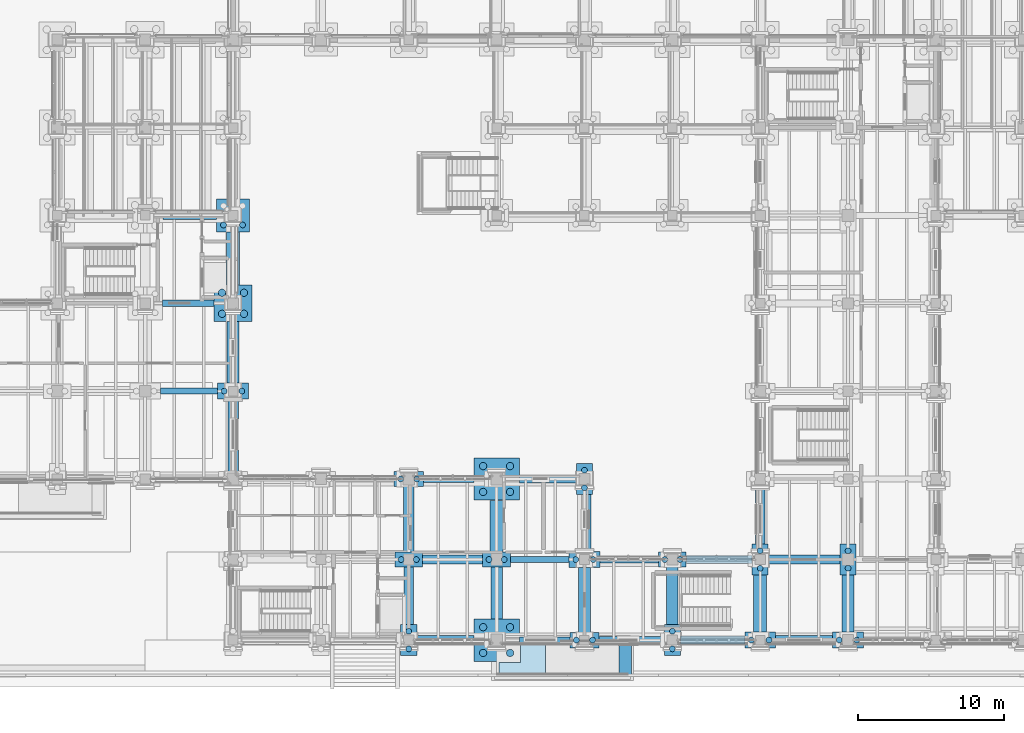
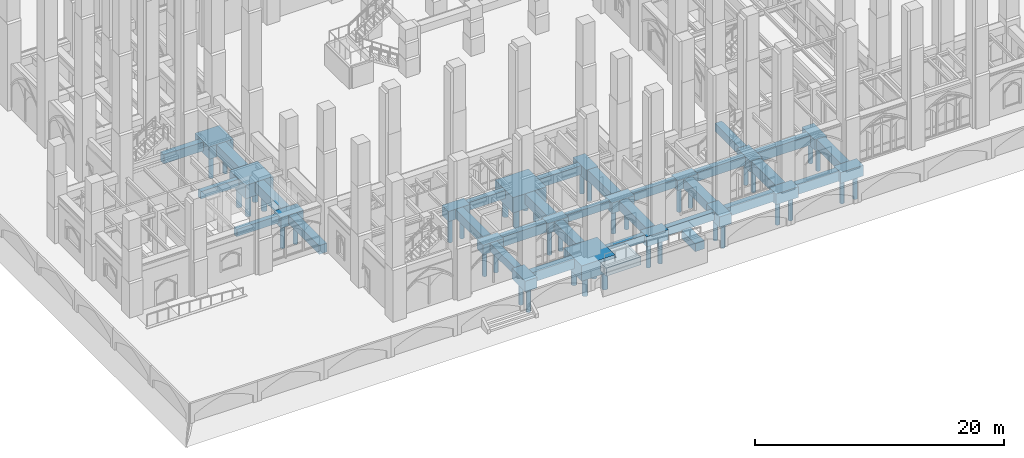
# One storey, part 2 of 135: 48 footings, 42 piles.
"""IFC4 building model written with IfcOpenShell, lengths in metres."""

from ifc_helpers import new_model, si_unit, direction, frame, origin, origin_2d, place, context, subcontext, project, spatial, polyline, rectangle, circle, outline, extrude, material, material_profile, profile_set, type_object, element, save


model = new_model("IFC4")

# Units and contexts
model_context = context("Model", 3, precision=1e-05, world=origin(), true_north=direction((0.0, 1.0)))
body_context = subcontext(model_context, "Body", "Model", "MODEL_VIEW")
ifc_project = project(units=[si_unit("LENGTHUNIT", "METRE"), si_unit("AREAUNIT", "SQUARE_METRE"), si_unit("VOLUMEUNIT", "CUBIC_METRE"), si_unit("PLANEANGLEUNIT", "RADIAN"), si_unit("MASSUNIT", "GRAM", prefix="KILO")], contexts=[model_context])

# Site, building, storey
site_placement = place(None, origin())
site = spatial("IfcSite", under=ifc_project, at=site_placement, CompositionType="ELEMENT")
building_placement = place(site_placement, origin())
building = spatial("IfcBuilding", under=site, at=building_placement, Name="Cumevento Cable Car Station", CompositionType="ELEMENT")
storey_placement = place(building_placement, origin())
storey = spatial("IfcBuildingStorey", under=building, at=storey_placement, Name="L01", CompositionType="ELEMENT", Elevation=0.0)

# Footings
ifc_material_1 = material(Name="Concrete C40/50", Category="concrete")
footing_type_1 = type_object("IfcFootingType", Name="Ground Beam GB-01 420x720", PredefinedType="FOOTING_BEAM", material=ifc_material_1)
footing_1_placement = place(storey_placement, frame((0.0, 0.0, -0.719970703125)))
element("IfcFooting", 1, at=footing_1_placement, inside=storey, type_object=footing_type_1, Name="Ground Tie Beam GB-01 #4", PredefinedType="FOOTING_BEAM", context=body_context, shape_type="SweptSolid", body=[
    extrude(outline(polyline([(41.552001953125, 3.7900390625), (44.998046875, 3.7900390625), (44.998046875, 4.2099609375), (41.552001953125, 4.2099609375), (41.552001953125, 3.7900390625)])), origin(), (0.0, 0.0, 1.0), 0.719970703125),
])
footing_2_placement = place(storey_placement, frame((0.0, 0.0, -0.719970703125)))
element("IfcFooting", 2, at=footing_2_placement, inside=storey, type_object=footing_type_1, Name="Ground Tie Beam GB-01 #16", PredefinedType="FOOTING_BEAM", context=body_context, shape_type="SweptSolid", body=[
    extrude(outline(polyline([(40.951904296875, 9.2900390625), (44.947998046875, 9.2900390625), (44.947998046875, 9.7099609375), (40.951904296875, 9.7099609375), (40.951904296875, 9.2900390625)])), origin(), (0.0, 0.0, 1.0), 0.719970703125),
])
footing_3_placement = place(storey_placement, frame((0.0, 0.0, -0.719970703125)))
element("IfcFooting", 3, at=footing_3_placement, inside=storey, type_object=footing_type_1, Name="Ground Tie Beam GB-01 #44", PredefinedType="FOOTING_BEAM", context=body_context, shape_type="SweptSolid", body=[
    extrude(outline(polyline([(17.052001953125, 20.7900390625), (20.947998046875, 20.7900390625), (20.947998046875, 21.2099609375), (17.052001953125, 21.2099609375), (17.052001953125, 20.7900390625)])), origin(), (0.0, 0.0, 1.0), 0.719970703125),
])
footing_4_placement = place(storey_placement, frame((0.0, 0.0, -0.719970703125)))
element("IfcFooting", 4, at=footing_4_placement, inside=storey, type_object=footing_type_1, Name="Ground Tie Beam GB-01 #52", PredefinedType="FOOTING_BEAM", context=body_context, shape_type="SweptSolid", body=[
    extrude(outline(polyline([(17.177001953125, 26.7900390625), (20.697998046875, 26.7900390625), (20.697998046875, 27.2099609375), (17.177001953125, 27.2099609375), (17.177001953125, 26.7900390625)])), origin(), (0.0, 0.0, 1.0), 0.719970703125),
])
ifc_material_2 = material(Name="Concrete C40/50", Category="concrete")
footing_type_2 = type_object("IfcFootingType", Name="Ground Beam GB-02 480x800", PredefinedType="FOOTING_BEAM", material=ifc_material_2)
footing_5_placement = place(storey_placement, frame((0.0, 0.0, -0.800048828125)))
element("IfcFooting", 5, at=footing_5_placement, inside=storey, type_object=footing_type_2, Name="Ground Tie Beam GB-02 #5", PredefinedType="FOOTING_BEAM", context=body_context, shape_type="SweptSolid", body=[
    extrude(outline(polyline([(47.001953125, 3.760009765625), (51.447998046875, 3.760009765625), (51.447998046875, 4.239990234375), (47.001953125, 4.239990234375), (47.001953125, 3.760009765625)])), origin(), (0.0, 0.0, 1.0), 0.800048828125),
])
footing_6_placement = place(storey_placement, frame((0.0, 0.0, -0.800048828125)))
element("IfcFooting", 6, at=footing_6_placement, inside=storey, type_object=footing_type_2, Name="Ground Tie Beam GB-02 #17", PredefinedType="FOOTING_BEAM", context=body_context, shape_type="SweptSolid", body=[
    extrude(outline(polyline([(47.052001953125, 9.260009765625), (51.048095703125, 9.260009765625), (51.048095703125, 9.739990234375), (47.052001953125, 9.739990234375), (47.052001953125, 9.260009765625)])), origin(), (0.0, 0.0, 1.0), 0.800048828125),
])
footing_7_placement = place(storey_placement, frame((0.0, 0.0, -0.800048828125)))
element("IfcFooting", 7, at=footing_7_placement, inside=storey, type_object=footing_type_2, Name="Ground Tie Beam GB-02 #33", PredefinedType="FOOTING_BEAM", context=body_context, shape_type="SweptSolid", body=[
    extrude(outline(polyline([(35.001953125, 14.760009765625), (38.447998046875, 14.760009765625), (38.447998046875, 15.239990234375), (35.001953125, 15.239990234375), (35.001953125, 14.760009765625)])), origin(), (0.0, 0.0, 1.0), 0.800048828125),
])
ifc_material_3 = material(Name="Concrete C40/50", Category="concrete")
footing_type_3 = type_object("IfcFootingType", Name="Ground Beam GB-03 540x880", PredefinedType="FOOTING_BEAM", material=ifc_material_3)
footing_8_placement = place(storey_placement, frame((0.0, 0.0, -0.8798828125)))
element("IfcFooting", 8, at=footing_8_placement, inside=storey, type_object=footing_type_3, Name="Ground Tie Beam GB-03 #6", PredefinedType="FOOTING_BEAM", context=body_context, shape_type="SweptSolid", body=[
    extrude(outline(polyline([(52.552001953125, 3.72998046875), (56.947998046875, 3.72998046875), (56.947998046875, 4.27001953125), (52.552001953125, 4.27001953125), (52.552001953125, 3.72998046875)])), origin(), (0.0, 0.0, 1.0), 0.8798828125),
])
footing_9_placement = place(storey_placement, frame((0.0, 0.0, -0.8798828125)))
element("IfcFooting", 9, at=footing_9_placement, inside=storey, type_object=footing_type_3, Name="Ground Tie Beam GB-03 #18", PredefinedType="FOOTING_BEAM", context=body_context, shape_type="SweptSolid", body=[
    extrude(outline(polyline([(52.951904296875, 9.22998046875), (57.447998046875, 9.22998046875), (57.447998046875, 9.77001953125), (52.951904296875, 9.77001953125), (52.951904296875, 9.22998046875)])), origin(), (0.0, 0.0, 1.0), 0.8798828125),
])
footing_10_placement = place(storey_placement, frame((0.0, 0.0, -0.8798828125)))
element("IfcFooting", 10, at=footing_10_placement, inside=storey, type_object=footing_type_3, Name="Ground Tie Beam GB-03 #34", PredefinedType="FOOTING_BEAM", context=body_context, shape_type="SweptSolid", body=[
    extrude(outline(polyline([(41.552001953125, 14.72998046875), (45.447998046875, 14.72998046875), (45.447998046875, 15.27001953125), (41.552001953125, 15.27001953125), (41.552001953125, 14.72998046875)])), origin(), (0.0, 0.0, 1.0), 0.8798828125),
])
footing_11_placement = place(storey_placement, frame((0.0, 0.0, -0.8798828125)))
element("IfcFooting", 11, at=footing_11_placement, inside=storey, type_object=footing_type_3, Name="Ground Tie Beam GB-03 #58", PredefinedType="FOOTING_BEAM", context=body_context, shape_type="SweptSolid", body=[
    extrude(outline(polyline([(17.201904296875, 32.72998046875), (20.873046875, 32.72998046875), (20.873046875, 33.27001953125), (17.201904296875, 33.27001953125), (17.201904296875, 32.72998046875)])), origin(), (0.0, 0.0, 1.0), 0.8798828125),
])
ifc_material_4 = material(Name="Concrete C40/50", Category="concrete")
footing_type_4 = type_object("IfcFootingType", Name="Ground Beam GB-04 600x960", PredefinedType="FOOTING_BEAM", material=ifc_material_4)
footing_12_placement = place(storey_placement, frame((0.0, 0.0, -0.9599609375)))
element("IfcFooting", 12, at=footing_12_placement, inside=storey, type_object=footing_type_4, Name="Ground Tie Beam GB-04 #3", PredefinedType="FOOTING_BEAM", context=body_context, shape_type="SweptSolid", body=[
    extrude(outline(polyline([(34.552001953125, 3.699951171875), (38.447998046875, 3.699951171875), (38.447998046875, 4.300048828125), (34.552001953125, 4.300048828125), (34.552001953125, 3.699951171875)])), origin(), (0.0, 0.0, 1.0), 0.9599609375),
])
footing_13_placement = place(storey_placement, frame((0.0, 0.0, -0.9599609375)))
element("IfcFooting", 13, at=footing_13_placement, inside=storey, type_object=footing_type_4, Name="Ground Tie Beam GB-04 #7", PredefinedType="FOOTING_BEAM", context=body_context, shape_type="SweptSolid", body=[
    extrude(outline(polyline([(59.052001953125, 3.699951171875), (62.947998046875, 3.699951171875), (62.947998046875, 4.300048828125), (59.052001953125, 4.300048828125), (59.052001953125, 3.699951171875)])), origin(), (0.0, 0.0, 1.0), 0.9599609375),
])
footing_14_placement = place(storey_placement, frame((0.0, 0.0, -0.9599609375)))
element("IfcFooting", 14, at=footing_14_placement, inside=storey, type_object=footing_type_4, Name="Ground Tie Beam GB-04 #15", PredefinedType="FOOTING_BEAM", context=body_context, shape_type="SweptSolid", body=[
    extrude(outline(polyline([(34.951904296875, 9.199951171875), (39.048095703125, 9.199951171875), (39.048095703125, 9.800048828125), (34.951904296875, 9.800048828125), (34.951904296875, 9.199951171875)])), origin(), (0.0, 0.0, 1.0), 0.9599609375),
])
footing_15_placement = place(storey_placement, frame((0.0, 0.0, -0.9599609375)))
element("IfcFooting", 15, at=footing_15_placement, inside=storey, type_object=footing_type_4, Name="Ground Tie Beam GB-04 #19", PredefinedType="FOOTING_BEAM", context=body_context, shape_type="SweptSolid", body=[
    extrude(outline(polyline([(58.552001953125, 9.199951171875), (63.447998046875, 9.199951171875), (63.447998046875, 9.800048828125), (58.552001953125, 9.800048828125), (58.552001953125, 9.199951171875)])), origin(), (0.0, 0.0, 1.0), 0.9599609375),
])

# Piles
ifc_material_5 = material(Name="Concrete C40/50", Category="concrete")
ifc_material_profile_1 = material_profile(ifc_material_5, circle(Radius=0.199951171875, at=origin_2d()), Name="PILE-D400")
ifc_profile_set_1 = profile_set([ifc_material_profile_1], Name="Concrete C40/50")
pile_type_1 = type_object("IfcPileType", Name="PILE-BORED-400", PredefinedType="BORED", material=ifc_profile_set_1)
for number, where, z_axis, x_axis, name in (
    (16, (21.39990234375, 21.0, -1.050048828125), (0.0, 0.0, -1.0), (1.0, 0.0, 0.0), "Bored Pile PL-400 #53"),
    (17, (22.60009765625, 21.0, -1.050048828125), (0.0, 0.0, -1.0), (1.0, 0.0, 0.0), "Bored Pile PL-400 #54"),
):
    element("IfcPile", number, at=place(storey_placement, frame(where, z_axis=z_axis, x_axis=x_axis)), inside=storey, type_object=pile_type_1, Name=name, PredefinedType="BORED", context=body_context, shape_type="SweptSolid", body=[
        extrude(circle(Radius=0.199951171875, at=origin_2d()), origin(), (0.0, 0.0, 1.0), 2.35009765625),
    ])
for number, where, z_axis, x_axis, name in (
    (18, (21.35009765625, 32.35009765625, -1.199951171875), (0.0, 0.0, -1.0), (1.0, 0.0, 0.0), "Bored Pile PL-400 #59"),
    (19, (22.64990234375, 32.35009765625, -1.199951171875), (0.0, 0.0, -1.0), (1.0, 0.0, 0.0), "Bored Pile PL-400 #60"),
):
    element("IfcPile", number, at=place(storey_placement, frame(where, z_axis=z_axis, x_axis=x_axis)), inside=storey, type_object=pile_type_1, Name=name, PredefinedType="BORED", context=body_context, shape_type="SweptSolid", body=[
        extrude(circle(Radius=0.199951171875, at=origin_2d()), origin(), (0.0, 0.0, 1.0), 2.199951171875),
    ])
for number, where, z_axis, x_axis, name in (
    (20, (34.0, 3.39990234375, -1.050048828125), (0.0, 0.0, -1.0), (1.0, 0.0, 0.0), "Bored Pile PL-400 #113"),
    (21, (34.0, 4.60009765625, -1.050048828125), (0.0, 0.0, -1.0), (1.0, 0.0, 0.0), "Bored Pile PL-400 #114"),
):
    element("IfcPile", number, at=place(storey_placement, frame(where, z_axis=z_axis, x_axis=x_axis)), inside=storey, type_object=pile_type_1, Name=name, PredefinedType="BORED", context=body_context, shape_type="SweptSolid", body=[
        extrude(circle(Radius=0.199951171875, at=origin_2d()), origin(), (0.0, 0.0, 1.0), 2.35009765625),
    ])
for number, where, z_axis, x_axis, name in (
    (22, (33.47998046875, 9.5, -0.949951171875), (0.0, 0.0, -1.0), (1.0, 0.0, 0.0), "Bored Pile PL-400 #115"),
    (23, (34.52001953125, 9.5, -0.949951171875), (0.0, 0.0, -1.0), (1.0, 0.0, 0.0), "Bored Pile PL-400 #116"),
):
    element("IfcPile", number, at=place(storey_placement, frame(where, z_axis=z_axis, x_axis=x_axis)), inside=storey, type_object=pile_type_1, Name=name, PredefinedType="BORED", context=body_context, shape_type="SweptSolid", body=[
        extrude(circle(Radius=0.199951171875, at=origin_2d()), origin(), (0.0, 0.0, 1.0), 2.449951171875),
    ])
for number, where, z_axis, x_axis, name in (
    (24, (33.449951171875, 15.0, -1.0), (0.0, 0.0, -1.0), (1.0, 0.0, 0.0), "Bored Pile PL-400 #117"),
    (25, (34.550048828125, 15.0, -1.0), (0.0, 0.0, -1.0), (1.0, 0.0, 0.0), "Bored Pile PL-400 #118"),
):
    element("IfcPile", number, at=place(storey_placement, frame(where, z_axis=z_axis, x_axis=x_axis)), inside=storey, type_object=pile_type_1, Name=name, PredefinedType="BORED", context=body_context, shape_type="SweptSolid", body=[
        extrude(circle(Radius=0.199951171875, at=origin_2d()), origin(), (0.0, 0.0, 1.0), 2.39990234375),
    ])
for number, where, z_axis, x_axis, name in (
    (26, (39.47998046875, 9.5, -0.949951171875), (0.0, 0.0, -1.0), (1.0, 0.0, 0.0), "Bored Pile PL-400 #143"),
    (27, (40.52001953125, 9.5, -0.949951171875), (0.0, 0.0, -1.0), (1.0, 0.0, 0.0), "Bored Pile PL-400 #144"),
):
    element("IfcPile", number, at=place(storey_placement, frame(where, z_axis=z_axis, x_axis=x_axis)), inside=storey, type_object=pile_type_1, Name=name, PredefinedType="BORED", context=body_context, shape_type="SweptSolid", body=[
        extrude(circle(Radius=0.199951171875, at=origin_2d()), origin(), (0.0, 0.0, 1.0), 2.449951171875),
    ])
for number, where, z_axis, x_axis, name in (
    (28, (45.449951171875, 4.0, -1.0), (0.0, 0.0, -1.0), (1.0, 0.0, 0.0), "Bored Pile PL-400 #161"),
    (29, (46.550048828125, 4.0, -1.0), (0.0, 0.0, -1.0), (1.0, 0.0, 0.0), "Bored Pile PL-400 #162"),
):
    element("IfcPile", number, at=place(storey_placement, frame(where, z_axis=z_axis, x_axis=x_axis)), inside=storey, type_object=pile_type_1, Name=name, PredefinedType="BORED", context=body_context, shape_type="SweptSolid", body=[
        extrude(circle(Radius=0.199951171875, at=origin_2d()), origin(), (0.0, 0.0, 1.0), 2.39990234375),
    ])
for number, where, z_axis, x_axis, name in (
    (30, (45.39990234375, 9.5, -1.050048828125), (0.0, 0.0, -1.0), (1.0, 0.0, 0.0), "Bored Pile PL-400 #163"),
    (31, (46.60009765625, 9.5, -1.050048828125), (0.0, 0.0, -1.0), (1.0, 0.0, 0.0), "Bored Pile PL-400 #164"),
    (32, (46.0, 14.39990234375, -1.050048828125), (0.0, 0.0, -1.0), (1.0, 0.0, 0.0), "Bored Pile PL-400 #165"),
    (33, (46.0, 15.60009765625, -1.050048828125), (0.0, 0.0, -1.0), (1.0, 0.0, 0.0), "Bored Pile PL-400 #166"),
    (34, (52.0, 3.39990234375, -1.050048828125), (0.0, 0.0, -1.0), (1.0, 0.0, 0.0), "Bored Pile PL-400 #179"),
    (35, (52.0, 4.60009765625, -1.050048828125), (0.0, 0.0, -1.0), (1.0, 0.0, 0.0), "Bored Pile PL-400 #180"),
):
    element("IfcPile", number, at=place(storey_placement, frame(where, z_axis=z_axis, x_axis=x_axis)), inside=storey, type_object=pile_type_1, Name=name, PredefinedType="BORED", context=body_context, shape_type="SweptSolid", body=[
        extrude(circle(Radius=0.199951171875, at=origin_2d()), origin(), (0.0, 0.0, 1.0), 2.35009765625),
    ])
for number, where, z_axis, x_axis, name in (
    (36, (51.47998046875, 9.5, -0.949951171875), (0.0, 0.0, -1.0), (1.0, 0.0, 0.0), "Bored Pile PL-400 #181"),
    (37, (52.52001953125, 9.5, -0.949951171875), (0.0, 0.0, -1.0), (1.0, 0.0, 0.0), "Bored Pile PL-400 #182"),
):
    element("IfcPile", number, at=place(storey_placement, frame(where, z_axis=z_axis, x_axis=x_axis)), inside=storey, type_object=pile_type_1, Name=name, PredefinedType="BORED", context=body_context, shape_type="SweptSolid", body=[
        extrude(circle(Radius=0.199951171875, at=origin_2d()), origin(), (0.0, 0.0, 1.0), 2.449951171875),
    ])
for number, where, z_axis, x_axis, name in (
    (38, (57.39990234375, 4.0, -1.050048828125), (0.0, 0.0, -1.0), (1.0, 0.0, 0.0), "Bored Pile PL-400 #203"),
    (39, (58.60009765625, 4.0, -1.050048828125), (0.0, 0.0, -1.0), (1.0, 0.0, 0.0), "Bored Pile PL-400 #204"),
    (40, (58.0, 8.89990234375, -1.050048828125), (0.0, 0.0, -1.0), (1.0, 0.0, 0.0), "Bored Pile PL-400 #205"),
    (41, (58.0, 10.10009765625, -1.050048828125), (0.0, 0.0, -1.0), (1.0, 0.0, 0.0), "Bored Pile PL-400 #206"),
    (42, (63.39990234375, 4.0, -1.050048828125), (0.0, 0.0, -1.0), (1.0, 0.0, 0.0), "Bored Pile PL-400 #239"),
    (43, (64.60009765625, 4.0, -1.050048828125), (0.0, 0.0, -1.0), (1.0, 0.0, 0.0), "Bored Pile PL-400 #240"),
    (44, (64.0, 8.89990234375, -1.050048828125), (0.0, 0.0, -1.0), (1.0, 0.0, 0.0), "Bored Pile PL-400 #241"),
    (45, (64.0, 10.10009765625, -1.050048828125), (0.0, 0.0, -1.0), (1.0, 0.0, 0.0), "Bored Pile PL-400 #242"),
):
    element("IfcPile", number, at=place(storey_placement, frame(where, z_axis=z_axis, x_axis=x_axis)), inside=storey, type_object=pile_type_1, Name=name, PredefinedType="BORED", context=body_context, shape_type="SweptSolid", body=[
        extrude(circle(Radius=0.199951171875, at=origin_2d()), origin(), (0.0, 0.0, 1.0), 2.35009765625),
    ])
ifc_material_6 = material(Name="Concrete C40/50", Category="concrete")
ifc_material_profile_2 = material_profile(ifc_material_6, circle(Radius=0.25, at=origin_2d()), Name="PILE-D500")
ifc_profile_set_2 = profile_set([ifc_material_profile_2], Name="Concrete C40/50")
pile_type_2 = type_object("IfcPileType", Name="PILE-BORED-500", PredefinedType="BORED", material=ifc_profile_set_2)
for number, where, z_axis, x_axis, name in (
    (46, (21.25, 26.280029296875, -1.300048828125), (0.0, 0.0, -1.0), (1.0, 0.0, 0.0), "Bored Pile PL-500 #55"),
    (47, (22.75, 26.280029296875, -1.300048828125), (0.0, 0.0, -1.0), (1.0, 0.0, 0.0), "Bored Pile PL-500 #56"),
    (48, (21.25, 27.719970703125, -1.300048828125), (0.0, 0.0, -1.0), (1.0, 0.0, 0.0), "Bored Pile PL-500 #57"),
    (49, (22.75, 27.719970703125, -1.300048828125), (0.0, 0.0, -1.0), (1.0, 0.0, 0.0), "Bored Pile PL-500 #58"),
):
    element("IfcPile", number, at=place(storey_placement, frame(where, z_axis=z_axis, x_axis=x_axis)), inside=storey, type_object=pile_type_2, Name=name, PredefinedType="BORED", context=body_context, shape_type="SweptSolid", body=[
        extrude(circle(Radius=0.25, at=origin_2d()), origin(), (0.0, 0.0, 1.0), 2.10009765625),
    ])
for number, where, z_axis, x_axis, name in (
    (50, (39.080078125, 3.1201171875, -1.5), (0.0, 0.0, -1.0), (1.0, 0.0, 0.0), "Bored Pile PL-500 #139"),
    (51, (40.919921875, 3.1201171875, -1.5), (0.0, 0.0, -1.0), (1.0, 0.0, 0.0), "Bored Pile PL-500 #140"),
    (52, (39.080078125, 4.8798828125, -1.5), (0.0, 0.0, -1.0), (1.0, 0.0, 0.0), "Bored Pile PL-500 #141"),
    (53, (40.919921875, 4.8798828125, -1.5), (0.0, 0.0, -1.0), (1.0, 0.0, 0.0), "Bored Pile PL-500 #142"),
    (54, (39.080078125, 14.1201171875, -1.5), (0.0, 0.0, -1.0), (1.0, 0.0, 0.0), "Bored Pile PL-500 #145"),
    (55, (40.919921875, 14.1201171875, -1.5), (0.0, 0.0, -1.0), (1.0, 0.0, 0.0), "Bored Pile PL-500 #146"),
    (56, (39.080078125, 15.8798828125, -1.5), (0.0, 0.0, -1.0), (1.0, 0.0, 0.0), "Bored Pile PL-500 #147"),
    (57, (40.919921875, 15.8798828125, -1.5), (0.0, 0.0, -1.0), (1.0, 0.0, 0.0), "Bored Pile PL-500 #148"),
):
    element("IfcPile", number, at=place(storey_placement, frame(where, z_axis=z_axis, x_axis=x_axis)), inside=storey, type_object=pile_type_2, Name=name, PredefinedType="BORED", context=body_context, shape_type="SweptSolid", body=[
        extrude(circle(Radius=0.25, at=origin_2d()), origin(), (0.0, 0.0, 1.0), 1.89990234375),
    ])

# Footings
ifc_material_7 = material(Name="Concrete C40/50", Category="concrete")
footing_type_5 = type_object("IfcFootingType", Name="Pile Cap PC-01 1900x1000x950", PredefinedType="PILE_CAP", material=ifc_material_7)
for number, where, z_axis, x_axis, name in (
    (58, (34.0, 9.5, -0.9501953125), (0.0, 0.0, 1.0), (1.0, 0.0, 0.0), "Pile Cap PC-01 at (34.0,9.5)"),
    (59, (40.0, 9.5, -0.9501953125), (0.0, 0.0, 1.0), (1.0, 0.0, 0.0), "Pile Cap PC-01 at (40.0,9.5)"),
    (60, (52.0, 9.5, -0.9501953125), (0.0, 0.0, 1.0), (1.0, 0.0, 0.0), "Pile Cap PC-01 at (52.0,9.5)"),
):
    element("IfcFooting", number, at=place(storey_placement, frame(where, z_axis=z_axis, x_axis=x_axis)), inside=storey, type_object=footing_type_5, Name=name, PredefinedType="PILE_CAP", context=body_context, shape_type="SweptSolid", body=[
        extrude(rectangle(XDim=1.89990234375, YDim=1.0, at=origin_2d()), origin(), (0.0, 0.0, 1.0), 0.949951171875),
    ])
ifc_material_8 = material(Name="Concrete C40/50", Category="concrete")
footing_type_6 = type_object("IfcFootingType", Name="Pile Cap PC-02 2000x1050x1000", PredefinedType="PILE_CAP", material=ifc_material_8)
for number, where, z_axis, x_axis, name in (
    (61, (34.0, 15.0, -1.0), (0.0, 0.0, 1.0), (1.0, 0.0, 0.0), "Pile Cap PC-02 at (34.0,15.0)"),
    (62, (46.0, 4.0, -1.0), (0.0, 0.0, 1.0), (1.0, 0.0, 0.0), "Pile Cap PC-02 at (46.0,4.0)"),
):
    element("IfcFooting", number, at=place(storey_placement, frame(where, z_axis=z_axis, x_axis=x_axis)), inside=storey, type_object=footing_type_6, Name=name, PredefinedType="PILE_CAP", context=body_context, shape_type="SweptSolid", body=[
        extrude(rectangle(XDim=2.0, YDim=1.050048828125, at=origin_2d()), origin(), (0.0, 0.0, 1.0), 1.0),
    ])
ifc_material_9 = material(Name="Concrete C40/50", Category="concrete")
footing_type_7 = type_object("IfcFootingType", Name="Pile Cap PC-03 2100x1100x1050", PredefinedType="PILE_CAP", material=ifc_material_9)
for number, where, z_axis, x_axis, name in (
    (63, (22.0, 21.0, -1.0498046875), (0.0, 0.0, 1.0), (1.0, 0.0, 0.0), "Pile Cap PC-03 at (22.0,21.0)"),
    (64, (46.0, 9.5, -1.0498046875), (0.0, 0.0, 1.0), (1.0, 0.0, 0.0), "Pile Cap PC-03 at (46.0,9.5)"),
    (65, (58.0, 4.0, -1.0498046875), (0.0, 0.0, 1.0), (1.0, 0.0, 0.0), "Pile Cap PC-03 at (58.0,4.0)"),
    (66, (64.0, 4.0, -1.0498046875), (0.0, 0.0, 1.0), (1.0, 0.0, 0.0), "Pile Cap PC-03 at (64.0,4.0)"),
):
    element("IfcFooting", number, at=place(storey_placement, frame(where, z_axis=z_axis, x_axis=x_axis)), inside=storey, type_object=footing_type_7, Name=name, PredefinedType="PILE_CAP", context=body_context, shape_type="SweptSolid", body=[
        extrude(rectangle(XDim=2.10009765625, YDim=1.10009765625, at=origin_2d()), origin(), (0.0, 0.0, 1.0), 1.050048828125),
    ])
ifc_material_10 = material(Name="Concrete C40/50", Category="concrete")
footing_type_8 = type_object("IfcFootingType", Name="Pile Cap PC-04 1100x2100x1050", PredefinedType="PILE_CAP", material=ifc_material_10)
for number, where, z_axis, x_axis, name in (
    (67, (34.0, 4.0, -1.0498046875), (0.0, 0.0, 1.0), (1.0, 0.0, 0.0), "Pile Cap PC-04 at (34.0,4.0)"),
    (68, (46.0, 15.0, -1.0498046875), (0.0, 0.0, 1.0), (1.0, 0.0, 0.0), "Pile Cap PC-04 at (46.0,15.0)"),
    (69, (52.0, 4.0, -1.0498046875), (0.0, 0.0, 1.0), (1.0, 0.0, 0.0), "Pile Cap PC-04 at (52.0,4.0)"),
    (70, (58.0, 9.5, -1.0498046875), (0.0, 0.0, 1.0), (1.0, 0.0, 0.0), "Pile Cap PC-04 at (58.0,9.5)"),
    (71, (64.0, 9.5, -1.0498046875), (0.0, 0.0, 1.0), (1.0, 0.0, 0.0), "Pile Cap PC-04 at (64.0,9.5)"),
):
    element("IfcFooting", number, at=place(storey_placement, frame(where, z_axis=z_axis, x_axis=x_axis)), inside=storey, type_object=footing_type_8, Name=name, PredefinedType="PILE_CAP", context=body_context, shape_type="SweptSolid", body=[
        extrude(rectangle(XDim=1.10009765625, YDim=2.10009765625, at=origin_2d()), origin(), (0.0, 0.0, 1.0), 1.050048828125),
    ])
ifc_material_11 = material(Name="Concrete C40/50", Category="concrete")
footing_type_9 = type_object("IfcFootingType", Name="Pile Cap PC-07 2250x2250x1200", PredefinedType="PILE_CAP", material=ifc_material_11)
footing_16_placement = place(storey_placement, frame((22.0, 33.0, -1.2001953125), z_axis=(0.0, 0.0, 1.0), x_axis=(1.0, 0.0, 0.0)))
element("IfcFooting", 72, at=footing_16_placement, inside=storey, type_object=footing_type_9, Name="Pile Cap PC-07 at (22.0,33.0)", PredefinedType="PILE_CAP", context=body_context, shape_type="SweptSolid", body=[
    extrude(rectangle(XDim=2.25, YDim=2.25, at=origin_2d()), origin(), (0.0, 0.0, 1.0), 1.199951171875),
])
ifc_material_12 = material(Name="Concrete C40/50", Category="concrete")
footing_type_10 = type_object("IfcFootingType", Name="Pile Cap PC-11 2600x2500x1300", PredefinedType="PILE_CAP", material=ifc_material_12)
footing_17_placement = place(storey_placement, frame((22.0, 27.0, -1.2998046875), z_axis=(0.0, 0.0, 1.0), x_axis=(1.0, 0.0, 0.0)))
element("IfcFooting", 73, at=footing_17_placement, inside=storey, type_object=footing_type_10, Name="Pile Cap PC-11 at (22.0,27.0)", PredefinedType="PILE_CAP", context=body_context, shape_type="SweptSolid", body=[
    extrude(rectangle(XDim=2.60009765625, YDim=2.5, at=origin_2d()), origin(), (0.0, 0.0, 1.0), 1.300048828125),
])
ifc_material_13 = material(Name="Concrete C40/50", Category="concrete")
footing_type_11 = type_object("IfcFootingType", Name="Pile Cap PC-16 3100x2900x1500", PredefinedType="PILE_CAP", material=ifc_material_13)
for number, where, z_axis, x_axis, name in (
    (74, (40.0, 4.0, -1.5), (0.0, 0.0, 1.0), (1.0, 0.0, 0.0), "Pile Cap PC-16 at (40.0,4.0)"),
    (75, (40.0, 15.0, -1.5), (0.0, 0.0, 1.0), (1.0, 0.0, 0.0), "Pile Cap PC-16 at (40.0,15.0)"),
):
    element("IfcFooting", number, at=place(storey_placement, frame(where, z_axis=z_axis, x_axis=x_axis)), inside=storey, type_object=footing_type_11, Name=name, PredefinedType="PILE_CAP", context=body_context, shape_type="SweptSolid", body=[
        extrude(rectangle(XDim=3.10009765625, YDim=2.89990234375, at=origin_2d()), origin(), (0.0, 0.0, 1.0), 1.5),
    ])
ifc_material_14 = material(Name="Concrete C40/50", Category="concrete")
footing_type_12 = type_object("IfcFootingType", Name="Strip Footing SF-01 640x780", PredefinedType="STRIP_FOOTING", material=ifc_material_14)
footing_18_placement = place(storey_placement, frame((0.0, 0.0, -0.780029296875)))
element("IfcFooting", 76, at=footing_18_placement, inside=storey, type_object=footing_type_12, Name="Strip Footing SF-01 #188", PredefinedType="STRIP_FOOTING", context=body_context, shape_type="SweptSolid", body=[
    extrude(outline(polyline([(33.679931640625, 5.052001953125), (34.320068359375, 5.052001953125), (34.320068359375, 8.998046875), (33.679931640625, 8.998046875), (33.679931640625, 5.052001953125)])), origin(), (0.0, 0.0, 1.0), 0.780029296875),
])
footing_19_placement = place(storey_placement, frame((0.0, 0.0, -0.780029296875)))
element("IfcFooting", 77, at=footing_19_placement, inside=storey, type_object=footing_type_12, Name="Strip Footing SF-01 #208", PredefinedType="STRIP_FOOTING", context=body_context, shape_type="SweptSolid", body=[
    extrude(outline(polyline([(57.679931640625, 10.552001953125), (58.320068359375, 10.552001953125), (58.320068359375, 14.498046875), (57.679931640625, 14.498046875), (57.679931640625, 10.552001953125)])), origin(), (0.0, 0.0, 1.0), 0.780029296875),
])
footing_20_placement = place(storey_placement, frame((0.0, 0.0, -1.449951171875)))
element("IfcFooting", 78, at=footing_20_placement, inside=storey, type_object=footing_type_12, Name="Ramp Toe Strip Footing RP-02", PredefinedType="STRIP_FOOTING", context=body_context, shape_type="SweptSolid", body=[
    extrude(outline(polyline([(49.199951171875, 1.5), (48.360107421875, 1.5), (48.360107421875, 3.695068359375), (49.199951171875, 3.695068359375), (49.199951171875, 1.5)])), origin(), (0.0, 0.0, 1.0), 0.780029296875),
])
footing_21_placement = place(storey_placement, frame((0.0, 0.0, -1.0)))
element("IfcFooting", 79, at=footing_21_placement, inside=storey, type_object=footing_type_12, Name="Ramp Landing Strip Footing RP-02", PredefinedType="STRIP_FOOTING", context=body_context, shape_type="SweptSolid", body=[
    extrude(outline(polyline([(43.35009765625, 1.550048828125), (40.14990234375, 1.550048828125), (40.14990234375, 2.485107421875), (41.614990234375, 2.485107421875), (41.614990234375, 3.72509765625), (43.35009765625, 3.72509765625), (43.35009765625, 1.550048828125)])), origin(), (0.0, 0.0, 1.0), 0.780029296875),
])
ifc_material_15 = material(Name="Concrete C40/50", Category="concrete")
footing_type_13 = type_object("IfcFootingType", Name="Strip Footing SF-02 720x860", PredefinedType="STRIP_FOOTING", material=ifc_material_15)
footing_22_placement = place(storey_placement, frame((0.0, 0.0, -0.860107421875)))
element("IfcFooting", 80, at=footing_22_placement, inside=storey, type_object=footing_type_13, Name="Strip Footing SF-02 #173", PredefinedType="STRIP_FOOTING", context=body_context, shape_type="SweptSolid", body=[
    extrude(outline(polyline([(21.639892578125, 15.527099609375), (22.360107421875, 15.527099609375), (22.360107421875, 20.447998046875), (21.639892578125, 20.447998046875), (21.639892578125, 15.527099609375)])), origin(), (0.0, 0.0, 1.0), 0.860107421875),
])
footing_23_placement = place(storey_placement, frame((0.0, 0.0, -0.860107421875)))
element("IfcFooting", 81, at=footing_23_placement, inside=storey, type_object=footing_type_13, Name="Strip Footing SF-02 #189", PredefinedType="STRIP_FOOTING", context=body_context, shape_type="SweptSolid", body=[
    extrude(outline(polyline([(33.639892578125, 10.001953125), (34.360107421875, 10.001953125), (34.360107421875, 14.472900390625), (33.639892578125, 14.472900390625), (33.639892578125, 10.001953125)])), origin(), (0.0, 0.0, 1.0), 0.860107421875),
])
ifc_material_16 = material(Name="Concrete C40/50", Category="concrete")
footing_type_14 = type_object("IfcFootingType", Name="Strip Footing SF-03 800x940", PredefinedType="STRIP_FOOTING", material=ifc_material_16)
footing_24_placement = place(storey_placement, frame((0.0, 0.0, -0.93994140625)))
element("IfcFooting", 82, at=footing_24_placement, inside=storey, type_object=footing_type_14, Name="Strip Footing SF-03 #174", PredefinedType="STRIP_FOOTING", context=body_context, shape_type="SweptSolid", body=[
    extrude(outline(polyline([(21.60009765625, 21.552001953125), (22.39990234375, 21.552001953125), (22.39990234375, 25.748046875), (21.60009765625, 25.748046875), (21.60009765625, 21.552001953125)])), origin(), (0.0, 0.0, 1.0), 0.93994140625),
])
footing_25_placement = place(storey_placement, frame((0.0, 0.0, -0.93994140625)))
element("IfcFooting", 83, at=footing_25_placement, inside=storey, type_object=footing_type_14, Name="Strip Footing SF-03 #194", PredefinedType="STRIP_FOOTING", context=body_context, shape_type="SweptSolid", body=[
    extrude(outline(polyline([(39.60009765625, 5.451904296875), (40.39990234375, 5.451904296875), (40.39990234375, 8.998046875), (39.60009765625, 8.998046875), (39.60009765625, 5.451904296875)])), origin(), (0.0, 0.0, 1.0), 0.93994140625),
])
footing_26_placement = place(storey_placement, frame((0.0, 0.0, -0.93994140625)))
element("IfcFooting", 84, at=footing_26_placement, inside=storey, type_object=footing_type_14, Name="Strip Footing SF-03 #198", PredefinedType="STRIP_FOOTING", context=body_context, shape_type="SweptSolid", body=[
    extrude(outline(polyline([(45.60009765625, 4.527099609375), (46.39990234375, 4.527099609375), (46.39990234375, 8.947998046875), (45.60009765625, 8.947998046875), (45.60009765625, 4.527099609375)])), origin(), (0.0, 0.0, 1.0), 0.93994140625),
])
footing_27_placement = place(storey_placement, frame((0.0, 0.0, -0.93994140625)))
element("IfcFooting", 85, at=footing_27_placement, inside=storey, type_object=footing_type_14, Name="Strip Footing SF-03 #202", PredefinedType="STRIP_FOOTING", context=body_context, shape_type="SweptSolid", body=[
    extrude(outline(polyline([(51.60009765625, 5.052001953125), (52.39990234375, 5.052001953125), (52.39990234375, 8.998046875), (51.60009765625, 8.998046875), (51.60009765625, 5.052001953125)])), origin(), (0.0, 0.0, 1.0), 0.93994140625),
])
footing_28_placement = place(storey_placement, frame((0.0, 0.0, -0.93994140625)))
element("IfcFooting", 86, at=footing_28_placement, inside=storey, type_object=footing_type_14, Name="Strip Footing SF-03 #218", PredefinedType="STRIP_FOOTING", context=body_context, shape_type="SweptSolid", body=[
    extrude(outline(polyline([(63.60009765625, 4.552001953125), (64.39990234375, 4.552001953125), (64.39990234375, 8.447998046875), (63.60009765625, 8.447998046875), (63.60009765625, 4.552001953125)])), origin(), (0.0, 0.0, 1.0), 0.93994140625),
])
ifc_material_17 = material(Name="Concrete C40/50", Category="concrete")
footing_type_15 = type_object("IfcFootingType", Name="Strip Footing SF-04 880x1020", PredefinedType="STRIP_FOOTING", material=ifc_material_17)
footing_29_placement = place(storey_placement, frame((0.0, 0.0, -1.02001953125)))
element("IfcFooting", 87, at=footing_29_placement, inside=storey, type_object=footing_type_15, Name="Strip Footing SF-04 #175", PredefinedType="STRIP_FOOTING", context=body_context, shape_type="SweptSolid", body=[
    extrude(outline(polyline([(21.56005859375, 28.251953125), (22.43994140625, 28.251953125), (22.43994140625, 31.873046875), (21.56005859375, 31.873046875), (21.56005859375, 28.251953125)])), origin(), (0.0, 0.0, 1.0), 1.02001953125),
])
footing_30_placement = place(storey_placement, frame((0.0, 0.0, -1.02001953125)))
element("IfcFooting", 88, at=footing_30_placement, inside=storey, type_object=footing_type_15, Name="Strip Footing SF-04 #195", PredefinedType="STRIP_FOOTING", context=body_context, shape_type="SweptSolid", body=[
    extrude(outline(polyline([(39.56005859375, 10.001953125), (40.43994140625, 10.001953125), (40.43994140625, 13.548095703125), (39.56005859375, 13.548095703125), (39.56005859375, 10.001953125)])), origin(), (0.0, 0.0, 1.0), 1.02001953125),
])
footing_31_placement = place(storey_placement, frame((0.0, 0.0, -1.02001953125)))
element("IfcFooting", 89, at=footing_31_placement, inside=storey, type_object=footing_type_15, Name="Strip Footing SF-04 #199", PredefinedType="STRIP_FOOTING", context=body_context, shape_type="SweptSolid", body=[
    extrude(outline(polyline([(45.56005859375, 10.052001953125), (46.43994140625, 10.052001953125), (46.43994140625, 13.947998046875), (45.56005859375, 13.947998046875), (45.56005859375, 10.052001953125)])), origin(), (0.0, 0.0, 1.0), 1.02001953125),
])
footing_32_placement = place(storey_placement, frame((0.0, 0.0, -1.02001953125)))
element("IfcFooting", 90, at=footing_32_placement, inside=storey, type_object=footing_type_15, Name="Strip Footing SF-04 #207", PredefinedType="STRIP_FOOTING", context=body_context, shape_type="SweptSolid", body=[
    extrude(outline(polyline([(57.56005859375, 4.552001953125), (58.43994140625, 4.552001953125), (58.43994140625, 8.447998046875), (57.56005859375, 8.447998046875), (57.56005859375, 4.552001953125)])), origin(), (0.0, 0.0, 1.0), 1.02001953125),
])

save(model, "model.ifc")
